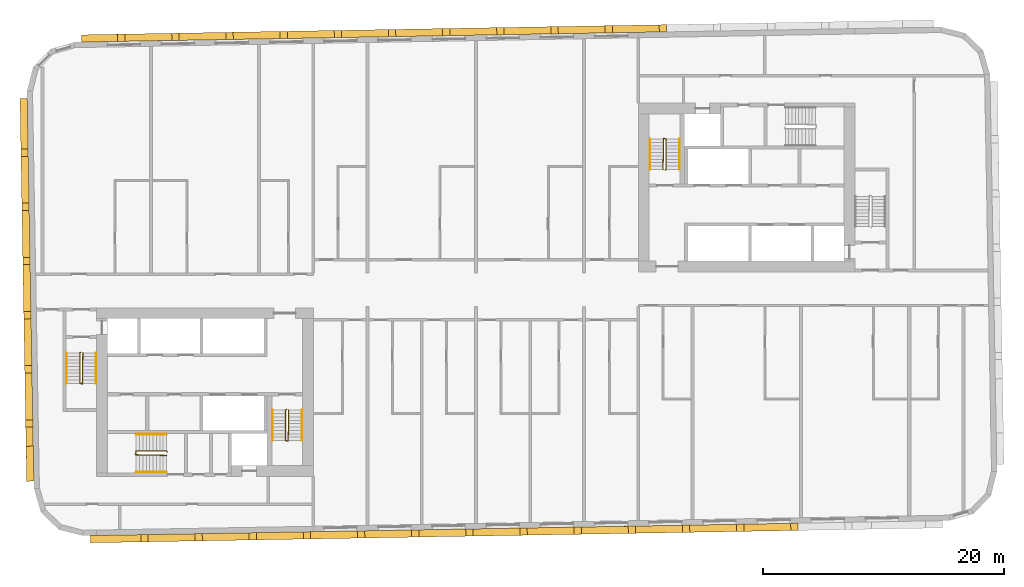
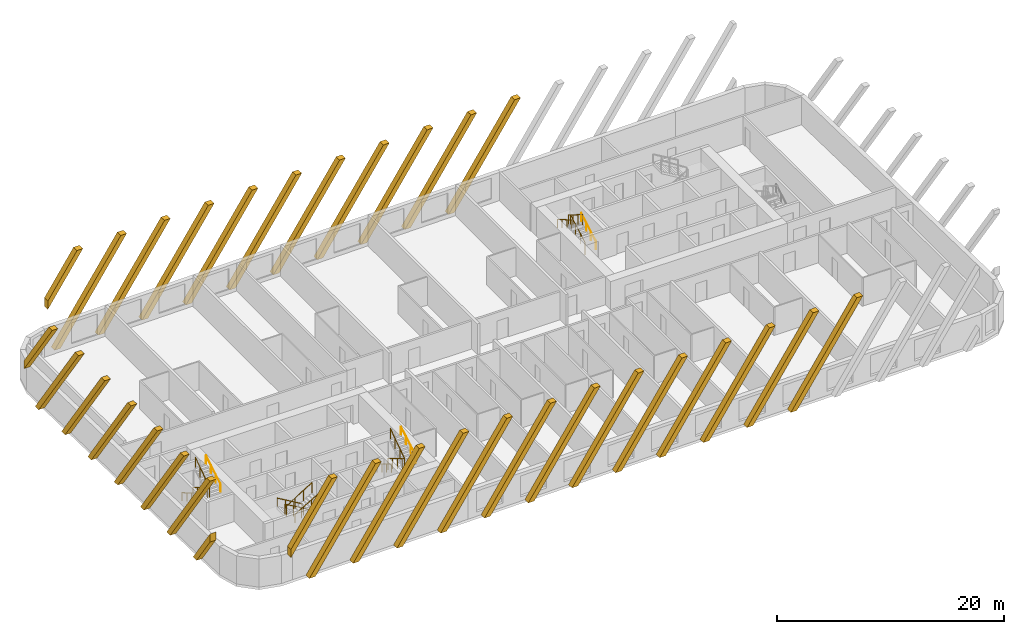
# One storey, part 11 of 12: 32 coverings, 12 railings.
"""IFC4 building model written with IfcOpenShell, lengths in metres."""

from ifc_helpers import new_model, si_unit, direction, frame, origin, origin_2d, place, context, subcontext, project, spatial, polyline, rectangle, circle, outline, extrude, material, material_profile, profile_set, type_object, element, save


model = new_model("IFC4")

# Units and contexts
model_context = context("Model", 3, precision=1e-05, world=origin(), true_north=direction((0.0, 1.0)))
body_context = subcontext(model_context, "Body", "Model", "MODEL_VIEW")
ifc_project = project(units=[si_unit("LENGTHUNIT", "METRE"), si_unit("AREAUNIT", "SQUARE_METRE"), si_unit("VOLUMEUNIT", "CUBIC_METRE"), si_unit("PLANEANGLEUNIT", "RADIAN"), si_unit("MASSUNIT", "GRAM", prefix="KILO")], contexts=[model_context])

# Site, building, storey
site_placement = place(None, origin())
site = spatial("IfcSite", under=ifc_project, at=site_placement, CompositionType="ELEMENT")
building_placement = place(site_placement, origin())
building = spatial("IfcBuilding", under=site, at=building_placement, Name="Kajstack Hotel Tower", CompositionType="ELEMENT")
storey_placement = place(building_placement, frame((0.0, 0.0, 247.39990234375)))
storey = spatial("IfcBuildingStorey", under=building, at=storey_placement, Name="L61", CompositionType="ELEMENT", Elevation=247.39990234375)

# Coverings
ifc_material_1 = material(Name="Terracotta", Category="masonry")
ifc_material_profile = material_profile(ifc_material_1, rectangle(XDim=0.60009765625, YDim=0.5, at=origin_2d()), Name="Terracotta-clad concrete baguette 500 x 600")
ifc_profile_set = profile_set([ifc_material_profile], Name="Terracotta")
covering_type = type_object("IfcCoveringType", Name="BAGUETTE 500x600", PredefinedType="CLADDING", material=ifc_profile_set)
covering_1_placement = place(storey_placement, frame((-37.271484375, 15.8994140625, 0.0), z_axis=(-0.999846892363, -0.017498337962, 0.0), x_axis=(0.017498337962, -0.999846892363, 0.0)))
element("IfcCovering", 1, at=covering_1_placement, inside=storey, type_object=covering_type, Name="Baguette L61-00-003", PredefinedType="CLADDING", context=body_context, shape_type="SweptSolid", body=[
    extrude(outline(polyline([(4.196533203125, 9.89990234375), (0.0, 3.7939453125), (0.0, 2.9111328125), (4.803466796875, 9.89990234375), (4.196533203125, 9.89990234375)])), origin(), (0.0, 0.0, 1.0), 0.599853515625),
])
covering_2_placement = place(storey_placement, frame((-37.23828125, 14.00732421875, 0.0), z_axis=(-0.999847016888, -0.017491221207, 0.0), x_axis=(0.017491221207, -0.999847016888, 0.0)))
element("IfcCovering", 2, at=covering_2_placement, inside=storey, type_object=covering_type, Name="Baguette L61-00-007", PredefinedType="CLADDING", context=body_context, shape_type="SweptSolid", body=[
    extrude(outline(polyline([(6.80419921875, 9.89990234375), (0.0, 0.0), (0.606689453125, 0.0), (7.410888671875, 9.89990234375), (6.80419921875, 9.89990234375)])), origin(), (0.0, 0.0, 1.0), 0.60009765625),
])
for number, where, z_axis, x_axis, name in (
    (3, (-37.159912109375, 9.5078125, 0.0), (-0.999846892363, -0.017498337962, 0.0), (0.017498337962, -0.999846892363, 0.0), "Baguette L61-00-011"),
    (4, (-37.081298828125, 5.008544921875, 0.0), (-0.999846892363, -0.017498337962, 0.0), (0.017498337962, -0.999846892363, 0.0), "Baguette L61-00-015"),
):
    element("IfcCovering", number, at=place(storey_placement, frame(where, z_axis=z_axis, x_axis=x_axis)), inside=storey, type_object=covering_type, Name=name, PredefinedType="CLADDING", context=body_context, shape_type="SweptSolid", body=[
        extrude(outline(polyline([(6.80419921875, 9.89990234375), (0.0, 0.0), (0.606689453125, 0.0), (7.410888671875, 9.89990234375), (6.80419921875, 9.89990234375)])), origin(), (0.0, 0.0, 1.0), 0.599853515625),
    ])
covering_3_placement = place(storey_placement, frame((-37.002685546875, 0.50927734375, 0.0), z_axis=(-0.999847016888, -0.017491221207, 0.0), x_axis=(0.017491221207, -0.999847016888, 0.0)))
element("IfcCovering", 5, at=covering_3_placement, inside=storey, type_object=covering_type, Name="Baguette L61-00-019", PredefinedType="CLADDING", context=body_context, shape_type="SweptSolid", body=[
    extrude(outline(polyline([(6.80419921875, 9.89990234375), (0.0, 0.0), (0.606689453125, 0.0), (7.410888671875, 9.89990234375), (6.80419921875, 9.89990234375)])), origin(), (0.0, 0.0, 1.0), 0.60009765625),
])
covering_4_placement = place(storey_placement, frame((-36.92431640625, -3.989990234375, 0.0), z_axis=(-0.999846892363, -0.017498337962, 0.0), x_axis=(0.017498337962, -0.999846892363, 0.0)))
element("IfcCovering", 6, at=covering_4_placement, inside=storey, type_object=covering_type, Name="Baguette L61-00-023", PredefinedType="CLADDING", context=body_context, shape_type="SweptSolid", body=[
    extrude(outline(polyline([(6.80419921875, 9.89990234375), (0.0, 0.0), (0.606689453125, 0.0), (7.410888671875, 9.89990234375), (6.80419921875, 9.89990234375)])), origin(), (0.0, 0.0, 1.0), 0.599853515625),
])
covering_5_placement = place(storey_placement, frame((-36.845703125, -8.489501953125, 0.0), z_axis=(-0.999853929301, -0.017091520159, 0.0), x_axis=(0.017091520159, -0.999853929301, 0.0)))
element("IfcCovering", 7, at=covering_5_placement, inside=storey, type_object=covering_type, Name="Baguette L61-00-027", PredefinedType="CLADDING", context=body_context, shape_type="SweptSolid", body=[
    extrude(outline(polyline([(0.606689453125, 0.0), (7.407470703125, 9.89501953125), (7.407470703125, 9.89990234375), (6.80419921875, 9.89990234375), (0.0, 0.0), (0.606689453125, 0.0)])), origin(), (0.0, 0.0, 1.0), 0.599853515625),
])
covering_6_placement = place(storey_placement, frame((-36.76708984375, -12.98876953125, 0.0), z_axis=(-0.999846892363, -0.017498337962, 0.0), x_axis=(0.017498337962, -0.999846892363, 0.0)))
element("IfcCovering", 8, at=covering_6_placement, inside=storey, type_object=covering_type, Name="Baguette L61-00-031", PredefinedType="CLADDING", context=body_context, shape_type="SweptSolid", body=[
    extrude(outline(polyline([(0.606689453125, 0.0), (2.907470703125, 3.34765625), (2.907470703125, 4.230224609375), (0.0, 0.0), (0.606689453125, 0.0)])), origin(), (0.0, 0.0, 1.0), 0.599853515625),
])
covering_7_placement = place(storey_placement, frame((-32.036865234375, -20.414794921875, 0.0), z_axis=(0.017498337962, -0.999846892363, 0.0), x_axis=(0.999846892363, 0.017498337962, 0.0)))
element("IfcCovering", 9, at=covering_7_placement, inside=storey, type_object=covering_type, Name="Baguette L61-04-003", PredefinedType="CLADDING", context=body_context, shape_type="SweptSolid", body=[
    extrude(outline(polyline([(4.196533203125, 9.89990234375), (0.0, 3.7939453125), (0.0, 2.9111328125), (4.803466796875, 9.89990234375), (4.196533203125, 9.89990234375)])), origin(), (0.0, 0.0, 1.0), 0.599853515625),
])
covering_8_placement = place(storey_placement, frame((-30.14453125, -20.381591796875, 0.0), z_axis=(0.017491221207, -0.999847016888, 0.0), x_axis=(0.999847016888, 0.017491221207, 0.0)))
element("IfcCovering", 10, at=covering_8_placement, inside=storey, type_object=covering_type, Name="Baguette L61-04-007", PredefinedType="CLADDING", context=body_context, shape_type="SweptSolid", body=[
    extrude(outline(polyline([(6.80419921875, 9.89990234375), (0.0, 0.0), (0.606689453125, 0.0), (7.410888671875, 9.89990234375), (6.80419921875, 9.89990234375)])), origin(), (0.0, 0.0, 1.0), 0.60009765625),
])
for number, where, z_axis, x_axis, name in (
    (11, (-25.645263671875, -20.30322265625, 0.0), (0.017498337962, -0.999846892363, 0.0), (0.999846892363, 0.017498337962, 0.0), "Baguette L61-04-011"),
    (12, (-21.14599609375, -20.224609375, 0.0), (0.017498337962, -0.999846892363, 0.0), (0.999846892363, 0.017498337962, 0.0), "Baguette L61-04-015"),
):
    element("IfcCovering", number, at=place(storey_placement, frame(where, z_axis=z_axis, x_axis=x_axis)), inside=storey, type_object=covering_type, Name=name, PredefinedType="CLADDING", context=body_context, shape_type="SweptSolid", body=[
        extrude(outline(polyline([(6.80419921875, 9.89990234375), (0.0, 0.0), (0.606689453125, 0.0), (7.410888671875, 9.89990234375), (6.80419921875, 9.89990234375)])), origin(), (0.0, 0.0, 1.0), 0.599853515625),
    ])
covering_9_placement = place(storey_placement, frame((-16.646484375, -20.14599609375, 0.0), z_axis=(0.017491221207, -0.999847016888, 0.0), x_axis=(0.999847016888, 0.017491221207, 0.0)))
element("IfcCovering", 13, at=covering_9_placement, inside=storey, type_object=covering_type, Name="Baguette L61-04-019", PredefinedType="CLADDING", context=body_context, shape_type="SweptSolid", body=[
    extrude(outline(polyline([(6.80419921875, 9.89990234375), (0.0, 0.0), (0.606689453125, 0.0), (7.410888671875, 9.89990234375), (6.80419921875, 9.89990234375)])), origin(), (0.0, 0.0, 1.0), 0.60009765625),
])
for number, where, z_axis, x_axis, name in (
    (14, (-12.147216796875, -20.067626953125, 0.0), (0.017498337962, -0.999846892363, 0.0), (0.999846892363, 0.017498337962, 0.0), "Baguette L61-04-023"),
    (15, (-7.64794921875, -19.989013671875, 0.0), (0.017498337962, -0.999846892363, 0.0), (0.999846892363, 0.017498337962, 0.0), "Baguette L61-04-027"),
):
    element("IfcCovering", number, at=place(storey_placement, frame(where, z_axis=z_axis, x_axis=x_axis)), inside=storey, type_object=covering_type, Name=name, PredefinedType="CLADDING", context=body_context, shape_type="SweptSolid", body=[
        extrude(outline(polyline([(6.80419921875, 9.89990234375), (0.0, 0.0), (0.606689453125, 0.0), (7.410888671875, 9.89990234375), (6.80419921875, 9.89990234375)])), origin(), (0.0, 0.0, 1.0), 0.599853515625),
    ])
covering_10_placement = place(storey_placement, frame((-3.148681640625, -19.910400390625, 0.0), z_axis=(0.017491221207, -0.999847016888, 0.0), x_axis=(0.999847016888, 0.017491221207, 0.0)))
element("IfcCovering", 16, at=covering_10_placement, inside=storey, type_object=covering_type, Name="Baguette L61-04-031", PredefinedType="CLADDING", context=body_context, shape_type="SweptSolid", body=[
    extrude(outline(polyline([(6.80419921875, 9.89990234375), (0.0, 0.0), (0.606689453125, 0.0), (7.410888671875, 9.89990234375), (6.80419921875, 9.89990234375)])), origin(), (0.0, 0.0, 1.0), 0.60009765625),
])
for number, where, z_axis, x_axis, name in (
    (17, (1.3505859375, -19.83203125, 0.0), (0.017498337962, -0.999846892363, 0.0), (0.999846892363, 0.017498337962, 0.0), "Baguette L61-04-035"),
    (18, (5.85009765625, -19.75341796875, 0.0), (0.017091520159, -0.999853929301, 0.0), (0.999853929301, 0.017091520159, 0.0), "Baguette L61-04-039"),
    (19, (10.349365234375, -19.6748046875, 0.0), (0.017498337962, -0.999846892363, 0.0), (0.999846892363, 0.017498337962, 0.0), "Baguette L61-04-043"),
    (20, (14.8486328125, -19.596435546875, 0.0), (0.017498337962, -0.999846892363, 0.0), (0.999846892363, 0.017498337962, 0.0), "Baguette L61-04-047"),
    (21, (19.347900390625, -19.517822265625, 0.0), (0.017498337962, -0.999846892363, 0.0), (0.999846892363, 0.017498337962, 0.0), "Baguette L61-04-051"),
):
    element("IfcCovering", number, at=place(storey_placement, frame(where, z_axis=z_axis, x_axis=x_axis)), inside=storey, type_object=covering_type, Name=name, PredefinedType="CLADDING", context=body_context, shape_type="SweptSolid", body=[
        extrude(outline(polyline([(6.80419921875, 9.89990234375), (0.0, 0.0), (0.606689453125, 0.0), (7.410888671875, 9.89990234375), (6.80419921875, 9.89990234375)])), origin(), (0.0, 0.0, 1.0), 0.599853515625),
    ])
covering_11_placement = place(storey_placement, frame((15.843505859375, 21.42724609375, 0.0), z_axis=(-0.017491221207, 0.999847016888, 0.0), x_axis=(-0.999847016888, -0.017491221207, 0.0)))
element("IfcCovering", 22, at=covering_11_placement, inside=storey, type_object=covering_type, Name="Baguette L61-12-027", PredefinedType="CLADDING", context=body_context, shape_type="SweptSolid", body=[
    extrude(outline(polyline([(0.0, 9.89990234375), (6.80419921875, 0.0), (7.410888671875, 0.0), (0.606689453125, 9.89990234375), (0.0, 9.89990234375)])), origin(), (0.0, 0.0, 1.0), 0.60009765625),
])
for number, where, z_axis, x_axis, name in (
    (23, (11.34423828125, 21.348876953125, 0.0), (-0.017498337962, 0.999846892363, 0.0), (-0.999846892363, -0.017498337962, 0.0), "Baguette L61-12-031"),
    (24, (6.844970703125, 21.270263671875, 0.0), (-0.017498337962, 0.999846892363, 0.0), (-0.999846892363, -0.017498337962, 0.0), "Baguette L61-12-035"),
):
    element("IfcCovering", number, at=place(storey_placement, frame(where, z_axis=z_axis, x_axis=x_axis)), inside=storey, type_object=covering_type, Name=name, PredefinedType="CLADDING", context=body_context, shape_type="SweptSolid", body=[
        extrude(outline(polyline([(0.0, 9.89990234375), (6.80419921875, 0.0), (7.410888671875, 0.0), (0.606689453125, 9.89990234375), (0.0, 9.89990234375)])), origin(), (0.0, 0.0, 1.0), 0.599853515625),
    ])
covering_12_placement = place(storey_placement, frame((2.345703125, 21.191650390625, 0.0), z_axis=(-0.017491221207, 0.999847016888, 0.0), x_axis=(-0.999847016888, -0.017491221207, 0.0)))
element("IfcCovering", 25, at=covering_12_placement, inside=storey, type_object=covering_type, Name="Baguette L61-12-039", PredefinedType="CLADDING", context=body_context, shape_type="SweptSolid", body=[
    extrude(outline(polyline([(0.0, 9.89990234375), (6.80419921875, 0.0), (7.410888671875, 0.0), (0.606689453125, 9.89990234375), (0.0, 9.89990234375)])), origin(), (0.0, 0.0, 1.0), 0.60009765625),
])
for number, where, z_axis, x_axis, name in (
    (26, (-2.15380859375, 21.11328125, 0.0), (-0.017498337962, 0.999846892363, 0.0), (-0.999846892363, -0.017498337962, 0.0), "Baguette L61-12-043"),
    (27, (-6.653076171875, 21.03466796875, 0.0), (-0.017498337962, 0.999846892363, 0.0), (-0.999846892363, -0.017498337962, 0.0), "Baguette L61-12-047"),
    (28, (-11.15234375, 20.9560546875, 0.0), (-0.017498337962, 0.999846892363, 0.0), (-0.999846892363, -0.017498337962, 0.0), "Baguette L61-12-051"),
    (29, (-15.651611328125, 20.877685546875, 0.0), (-0.017498337962, 0.999846892363, 0.0), (-0.999846892363, -0.017498337962, 0.0), "Baguette L61-12-055"),
    (30, (-20.15087890625, 20.799072265625, 0.0), (-0.017498337962, 0.999846892363, 0.0), (-0.999846892363, -0.017498337962, 0.0), "Baguette L61-12-059"),
    (31, (-24.650390625, 20.720458984375, 0.0), (-0.017091520159, 0.999853929301, 0.0), (-0.999853929301, -0.017091520159, 0.0), "Baguette L61-12-063"),
):
    element("IfcCovering", number, at=place(storey_placement, frame(where, z_axis=z_axis, x_axis=x_axis)), inside=storey, type_object=covering_type, Name=name, PredefinedType="CLADDING", context=body_context, shape_type="SweptSolid", body=[
        extrude(outline(polyline([(0.0, 9.89990234375), (6.80419921875, 0.0), (7.410888671875, 0.0), (0.606689453125, 9.89990234375), (0.0, 9.89990234375)])), origin(), (0.0, 0.0, 1.0), 0.599853515625),
    ])
covering_13_placement = place(storey_placement, frame((-29.149658203125, 20.641845703125, 0.0), z_axis=(-0.017491221207, 0.999847016888, 0.0), x_axis=(-0.999847016888, -0.017491221207, 0.0)))
element("IfcCovering", 32, at=covering_13_placement, inside=storey, type_object=covering_type, Name="Baguette L61-12-067", PredefinedType="CLADDING", context=body_context, shape_type="SweptSolid", body=[
    extrude(outline(polyline([(0.0, 9.89990234375), (3.603271484375, 4.656982421875), (3.603271484375, 5.539794921875), (0.606689453125, 9.89990234375), (0.0, 9.89990234375)])), origin(), (0.0, 0.0, 1.0), 0.60009765625),
])

# Railings
ifc_material_2 = material(Name="Steel S355J2", Category="steel")
railing_type_1 = type_object("IfcRailingType", Name="Stair guard 1100", PredefinedType="GUARDRAIL", material=ifc_material_2)
railing_1_placement = place(storey_placement, frame((-32.85009765625, -5.199951171875, 0.0)))
element("IfcRailing", 33, at=railing_1_placement, inside=storey, type_object=railing_type_1, Name="L61 W1 stair guard 1", PredefinedType="GUARDRAIL", context=body_context, shape_type="SweptSolid", body=[
    extrude(circle(Radius=0.02392578125, at=origin_2d()), frame((0.0, 0.0, 1.076171875), z_axis=(-0.277450376394, -0.278810427259, 0.919394384522), x_axis=(0.708833529934, -0.705375805398, 0.0)), (0.0, 0.0, 1.0), 0.179443359375),
    extrude(circle(Radius=0.02392578125, at=origin_2d()), frame((-0.0498046875, -0.050048828125, 1.2412109375), z_axis=(0.0, -0.86152411907, 0.507716645641), x_axis=(1.0, 0.0, 0.0)), (0.0, 0.0, 1.0), 2.925048828125),
    extrude(circle(Radius=0.02392578125, at=origin_2d()), frame((-0.0498046875, -2.570068359375, 2.72607421875), z_axis=(0.970072785993, -0.242814311512, 0.0), x_axis=(0.242814311512, 0.970072785993, 0.0)), (0.0, 0.0, 1.0), 0.2060546875),
    extrude(circle(Radius=0.02392578125, at=origin_2d()), frame((0.150146484375, -2.6201171875, 2.72607421875), z_axis=(0.016385308676, 0.841405582595, 0.540155687962), x_axis=(-0.999810440751, 0.019470042781, 0.0)), (0.0, 0.0, 1.0), 3.054443359375),
    extrude(circle(Radius=0.02099609375, at=origin_2d()), origin(), (0.0, 0.0, 1.0), 1.052001953125),
    extrude(circle(Radius=0.02099609375, at=origin_2d()), frame((-0.0498046875, -0.050048828125, 0.1650390625)), (0.0, 0.0, 1.0), 1.052001953125),
    extrude(circle(Radius=0.02099609375, at=origin_2d()), frame((-0.0498046875, -0.89013671875, 0.66015625)), (0.0, 0.0, 1.0), 1.052001953125),
    extrude(circle(Radius=0.02099609375, at=origin_2d()), frame((-0.0498046875, -1.72998046875, 1.155029296875)), (0.0, 0.0, 1.0), 1.052001953125),
    extrude(circle(Radius=0.02099609375, at=origin_2d()), frame((-0.0498046875, -2.570068359375, 1.650146484375)), (0.0, 0.0, 1.0), 1.052001953125),
    extrude(circle(Radius=0.02099609375, at=origin_2d()), frame((0.150146484375, -2.6201171875, 1.650146484375)), (0.0, 0.0, 1.0), 1.052001953125),
    extrude(circle(Radius=0.02099609375, at=origin_2d()), frame((0.166748046875, -1.763427734375, 2.2001953125)), (0.0, 0.0, 1.0), 1.052001953125),
    extrude(circle(Radius=0.02099609375, at=origin_2d()), frame((0.18359375, -0.90673828125, 2.75)), (0.0, 0.0, 1.0), 1.052001953125),
    extrude(circle(Radius=0.02099609375, at=origin_2d()), frame((0.2001953125, -0.050048828125, 3.300048828125)), (0.0, 0.0, 1.0), 1.052001953125),
])
railing_2_placement = place(storey_placement, frame((-15.75, -9.949951171875, 0.0)))
element("IfcRailing", 34, at=railing_2_placement, inside=storey, type_object=railing_type_1, Name="L61 W2 stair guard 1", PredefinedType="GUARDRAIL", context=body_context, shape_type="SweptSolid", body=[
    extrude(circle(Radius=0.02392578125, at=origin_2d()), frame((0.0, 0.0, 1.076171875), z_axis=(-0.278705021027, -0.278705021027, 0.919046801044), x_axis=(0.707106781187, -0.707106781187, 0.0)), (0.0, 0.0, 1.0), 0.1796875),
    extrude(circle(Radius=0.02392578125, at=origin_2d()), frame((-0.050048828125, -0.050048828125, 1.2412109375), z_axis=(0.0, -0.86152411907, 0.507716645641), x_axis=(1.0, 0.0, 0.0)), (0.0, 0.0, 1.0), 2.925048828125),
    extrude(circle(Radius=0.02392578125, at=origin_2d()), frame((-0.050048828125, -2.570068359375, 2.72607421875), z_axis=(0.970072785993, -0.242814311512, 0.0), x_axis=(0.242814311512, 0.970072785993, 0.0)), (0.0, 0.0, 1.0), 0.2060546875),
    extrude(circle(Radius=0.02392578125, at=origin_2d()), frame((0.14990234375, -2.6201171875, 2.72607421875), z_axis=(0.016385308676, 0.841405582595, 0.540155687962), x_axis=(-0.999810440751, 0.019470042781, 0.0)), (0.0, 0.0, 1.0), 3.054443359375),
    extrude(circle(Radius=0.02099609375, at=origin_2d()), origin(), (0.0, 0.0, 1.0), 1.052001953125),
    extrude(circle(Radius=0.02099609375, at=origin_2d()), frame((-0.050048828125, -0.050048828125, 0.1650390625)), (0.0, 0.0, 1.0), 1.052001953125),
    extrude(circle(Radius=0.02099609375, at=origin_2d()), frame((-0.050048828125, -0.89013671875, 0.66015625)), (0.0, 0.0, 1.0), 1.052001953125),
    extrude(circle(Radius=0.02099609375, at=origin_2d()), frame((-0.050048828125, -1.72998046875, 1.155029296875)), (0.0, 0.0, 1.0), 1.052001953125),
    extrude(circle(Radius=0.02099609375, at=origin_2d()), frame((-0.050048828125, -2.570068359375, 1.650146484375)), (0.0, 0.0, 1.0), 1.052001953125),
    extrude(circle(Radius=0.02099609375, at=origin_2d()), frame((0.14990234375, -2.6201171875, 1.650146484375)), (0.0, 0.0, 1.0), 1.052001953125),
    extrude(circle(Radius=0.02099609375, at=origin_2d()), frame((0.16650390625, -1.763427734375, 2.2001953125)), (0.0, 0.0, 1.0), 1.052001953125),
    extrude(circle(Radius=0.02099609375, at=origin_2d()), frame((0.183349609375, -0.90673828125, 2.75)), (0.0, 0.0, 1.0), 1.052001953125),
    extrude(circle(Radius=0.02099609375, at=origin_2d()), frame((0.199951171875, -0.050048828125, 3.300048828125)), (0.0, 0.0, 1.0), 1.052001953125),
])
railing_3_placement = place(storey_placement, frame((-25.64990234375, -13.449951171875, 0.0)))
element("IfcRailing", 35, at=railing_3_placement, inside=storey, type_object=railing_type_1, Name="L61 W3 stair guard 1", PredefinedType="GUARDRAIL", context=body_context, shape_type="SweptSolid", body=[
    extrude(circle(Radius=0.02392578125, at=origin_2d()), frame((0.0, 0.0, 1.076171875), z_axis=(-0.278705021027, 0.278705021027, 0.919046801044), x_axis=(-0.707106781187, -0.707106781187, 0.0)), (0.0, 0.0, 1.0), 0.1796875),
    extrude(circle(Radius=0.02392578125, at=origin_2d()), frame((-0.050048828125, 0.050048828125, 1.2412109375), z_axis=(-0.86152411907, 0.0, 0.507716645641), x_axis=(0.0, -1.0, 0.0)), (0.0, 0.0, 1.0), 2.925048828125),
    extrude(circle(Radius=0.02392578125, at=origin_2d()), frame((-2.570068359375, 0.050048828125, 2.72607421875), z_axis=(-0.164529134168, -0.986372223864, 0.0), x_axis=(0.986372223864, -0.164529134168, 0.0)), (0.0, 0.0, 1.0), 0.30419921875),
    extrude(circle(Radius=0.02392578125, at=origin_2d()), frame((-2.6201171875, -0.25, 2.72607421875), z_axis=(0.841405582595, -0.016385308676, 0.540155687962), x_axis=(0.019470042781, 0.999810440751, 0.0)), (0.0, 0.0, 1.0), 3.054443359375),
    extrude(circle(Radius=0.02099609375, at=origin_2d()), origin(), (0.0, 0.0, 1.0), 1.052001953125),
    extrude(circle(Radius=0.02099609375, at=origin_2d()), frame((-0.050048828125, 0.050048828125, 0.1650390625)), (0.0, 0.0, 1.0), 1.052001953125),
    extrude(circle(Radius=0.02099609375, at=origin_2d()), frame((-0.89013671875, 0.050048828125, 0.66015625)), (0.0, 0.0, 1.0), 1.052001953125),
    extrude(circle(Radius=0.02099609375, at=origin_2d()), frame((-1.72998046875, 0.050048828125, 1.155029296875)), (0.0, 0.0, 1.0), 1.052001953125),
    extrude(circle(Radius=0.02099609375, at=origin_2d()), frame((-2.570068359375, 0.050048828125, 1.650146484375)), (0.0, 0.0, 1.0), 1.052001953125),
    extrude(circle(Radius=0.02099609375, at=origin_2d()), frame((-2.6201171875, -0.25, 1.650146484375)), (0.0, 0.0, 1.0), 1.052001953125),
    extrude(circle(Radius=0.02099609375, at=origin_2d()), frame((-1.763427734375, -0.2666015625, 2.2001953125)), (0.0, 0.0, 1.0), 1.052001953125),
    extrude(circle(Radius=0.02099609375, at=origin_2d()), frame((-0.90673828125, -0.283447265625, 2.75)), (0.0, 0.0, 1.0), 1.052001953125),
    extrude(circle(Radius=0.02099609375, at=origin_2d()), frame((-0.050048828125, -0.300048828125, 3.300048828125)), (0.0, 0.0, 1.0), 1.052001953125),
])
railing_4_placement = place(storey_placement, frame((15.75, 9.949951171875, 0.0)))
element("IfcRailing", 36, at=railing_4_placement, inside=storey, type_object=railing_type_1, Name="L61 E2 stair guard 1", PredefinedType="GUARDRAIL", context=body_context, shape_type="SweptSolid", body=[
    extrude(circle(Radius=0.02392578125, at=origin_2d()), frame((0.0, 0.0, 1.076171875), z_axis=(0.278705021027, 0.278705021027, 0.919046801044), x_axis=(-0.707106781187, 0.707106781187, 0.0)), (0.0, 0.0, 1.0), 0.1796875),
    extrude(circle(Radius=0.02392578125, at=origin_2d()), frame((0.050048828125, 0.050048828125, 1.2412109375), z_axis=(0.0, 0.86152411907, 0.507716645641), x_axis=(-1.0, 0.0, 0.0)), (0.0, 0.0, 1.0), 2.925048828125),
    extrude(circle(Radius=0.02392578125, at=origin_2d()), frame((0.050048828125, 2.570068359375, 2.72607421875), z_axis=(-0.970072785993, 0.242814311512, 0.0), x_axis=(-0.242814311512, -0.970072785993, 0.0)), (0.0, 0.0, 1.0), 0.2060546875),
    extrude(circle(Radius=0.02392578125, at=origin_2d()), frame((-0.14990234375, 2.6201171875, 2.72607421875), z_axis=(-0.016385308676, -0.841405582595, 0.540155687962), x_axis=(0.999810440751, -0.019470042781, 0.0)), (0.0, 0.0, 1.0), 3.054443359375),
    extrude(circle(Radius=0.02099609375, at=origin_2d()), origin(), (0.0, 0.0, 1.0), 1.052001953125),
    extrude(circle(Radius=0.02099609375, at=origin_2d()), frame((0.050048828125, 0.050048828125, 0.1650390625)), (0.0, 0.0, 1.0), 1.052001953125),
    extrude(circle(Radius=0.02099609375, at=origin_2d()), frame((0.050048828125, 0.89013671875, 0.66015625)), (0.0, 0.0, 1.0), 1.052001953125),
    extrude(circle(Radius=0.02099609375, at=origin_2d()), frame((0.050048828125, 1.72998046875, 1.155029296875)), (0.0, 0.0, 1.0), 1.052001953125),
    extrude(circle(Radius=0.02099609375, at=origin_2d()), frame((0.050048828125, 2.570068359375, 1.650146484375)), (0.0, 0.0, 1.0), 1.052001953125),
    extrude(circle(Radius=0.02099609375, at=origin_2d()), frame((-0.14990234375, 2.6201171875, 1.650146484375)), (0.0, 0.0, 1.0), 1.052001953125),
    extrude(circle(Radius=0.02099609375, at=origin_2d()), frame((-0.16650390625, 1.763427734375, 2.2001953125)), (0.0, 0.0, 1.0), 1.052001953125),
    extrude(circle(Radius=0.02099609375, at=origin_2d()), frame((-0.183349609375, 0.90673828125, 2.75)), (0.0, 0.0, 1.0), 1.052001953125),
    extrude(circle(Radius=0.02099609375, at=origin_2d()), frame((-0.199951171875, 0.050048828125, 3.300048828125)), (0.0, 0.0, 1.0), 1.052001953125),
])
railing_type_2 = type_object("IfcRailingType", Name="Stair handrail 900", PredefinedType="HANDRAIL", material=ifc_material_2)
railing_5_placement = place(storey_placement, frame((-34.0, -5.25, 0.1650390625)))
element("IfcRailing", 37, at=railing_5_placement, inside=storey, type_object=railing_type_2, Name="L61 W1 stair handrail 1", PredefinedType="HANDRAIL", context=body_context, shape_type="SweptSolid", body=[
    extrude(circle(Radius=0.02392578125, at=origin_2d()), frame((0.0, 0.0, 0.8759765625), z_axis=(0.0, -0.86152411907, 0.507716645641), x_axis=(1.0, 0.0, 0.0)), (0.0, 0.0, 1.0), 2.925048828125),
    extrude(circle(Radius=0.02099609375, at=origin_2d()), origin(), (0.0, 0.0, 1.0), 0.851806640625),
    extrude(circle(Radius=0.02099609375, at=origin_2d()), frame((0.0, -0.840087890625, 0.4951171875)), (0.0, 0.0, 1.0), 0.851806640625),
    extrude(circle(Radius=0.02099609375, at=origin_2d()), frame((0.0, -1.679931640625, 0.989990234375)), (0.0, 0.0, 1.0), 0.851806640625),
    extrude(circle(Radius=0.02099609375, at=origin_2d()), frame((0.0, -2.52001953125, 1.485107421875)), (0.0, 0.0, 1.0), 0.851806640625),
])
railing_6_placement = place(storey_placement, frame((-31.550048828125, -7.77001953125, 1.815185546875)))
element("IfcRailing", 38, at=railing_6_placement, inside=storey, type_object=railing_type_2, Name="L61 W1 stair handrail 2", PredefinedType="HANDRAIL", context=body_context, shape_type="SweptSolid", body=[
    extrude(circle(Radius=0.02392578125, at=origin_2d()), frame((0.0, 0.0, 0.8759765625), z_axis=(0.0, 0.861560626758, 0.507654692109), x_axis=(-1.0, 0.0, 0.0)), (0.0, 0.0, 1.0), 2.925048828125),
    extrude(circle(Radius=0.02099609375, at=origin_2d()), origin(), (0.0, 0.0, 1.0), 0.851806640625),
    extrude(circle(Radius=0.02099609375, at=origin_2d()), frame((0.0, 0.840087890625, 0.494873046875)), (0.0, 0.0, 1.0), 0.851806640625),
    extrude(circle(Radius=0.02099609375, at=origin_2d()), frame((0.0, 1.679931640625, 0.989990234375)), (0.0, 0.0, 1.0), 0.851806640625),
    extrude(circle(Radius=0.02099609375, at=origin_2d()), frame((0.0, 2.52001953125, 1.48486328125)), (0.0, 0.0, 1.0), 0.851806640625),
])
railing_7_placement = place(storey_placement, frame((-16.89990234375, -10.0, 0.1650390625)))
element("IfcRailing", 39, at=railing_7_placement, inside=storey, type_object=railing_type_2, Name="L61 W2 stair handrail 1", PredefinedType="HANDRAIL", context=body_context, shape_type="SweptSolid", body=[
    extrude(circle(Radius=0.02392578125, at=origin_2d()), frame((0.0, 0.0, 0.8759765625), z_axis=(0.0, -0.86152411907, 0.507716645641), x_axis=(1.0, 0.0, 0.0)), (0.0, 0.0, 1.0), 2.925048828125),
    extrude(circle(Radius=0.02099609375, at=origin_2d()), origin(), (0.0, 0.0, 1.0), 0.851806640625),
    extrude(circle(Radius=0.02099609375, at=origin_2d()), frame((0.0, -0.840087890625, 0.4951171875)), (0.0, 0.0, 1.0), 0.851806640625),
    extrude(circle(Radius=0.02099609375, at=origin_2d()), frame((0.0, -1.679931640625, 0.989990234375)), (0.0, 0.0, 1.0), 0.851806640625),
    extrude(circle(Radius=0.02099609375, at=origin_2d()), frame((0.0, -2.52001953125, 1.485107421875)), (0.0, 0.0, 1.0), 0.851806640625),
])
railing_8_placement = place(storey_placement, frame((-14.449951171875, -12.52001953125, 1.815185546875)))
element("IfcRailing", 40, at=railing_8_placement, inside=storey, type_object=railing_type_2, Name="L61 W2 stair handrail 2", PredefinedType="HANDRAIL", context=body_context, shape_type="SweptSolid", body=[
    extrude(circle(Radius=0.02392578125, at=origin_2d()), frame((0.0, 0.0, 0.8759765625), z_axis=(0.0, 0.861560626758, 0.507654692109), x_axis=(-1.0, 0.0, 0.0)), (0.0, 0.0, 1.0), 2.925048828125),
    extrude(circle(Radius=0.02099609375, at=origin_2d()), origin(), (0.0, 0.0, 1.0), 0.851806640625),
    extrude(circle(Radius=0.02099609375, at=origin_2d()), frame((0.0, 0.840087890625, 0.494873046875)), (0.0, 0.0, 1.0), 0.851806640625),
    extrude(circle(Radius=0.02099609375, at=origin_2d()), frame((0.0, 1.679931640625, 0.989990234375)), (0.0, 0.0, 1.0), 0.851806640625),
    extrude(circle(Radius=0.02099609375, at=origin_2d()), frame((0.0, 2.52001953125, 1.48486328125)), (0.0, 0.0, 1.0), 0.851806640625),
])
railing_9_placement = place(storey_placement, frame((-25.699951171875, -12.0, 0.1650390625)))
element("IfcRailing", 41, at=railing_9_placement, inside=storey, type_object=railing_type_2, Name="L61 W3 stair handrail 1", PredefinedType="HANDRAIL", context=body_context, shape_type="SweptSolid", body=[
    extrude(circle(Radius=0.02392578125, at=origin_2d()), frame((0.0, 0.0, 0.8759765625), z_axis=(-0.86152411907, 0.0, 0.507716645641), x_axis=(0.0, -1.0, 0.0)), (0.0, 0.0, 1.0), 2.925048828125),
    extrude(circle(Radius=0.02099609375, at=origin_2d()), origin(), (0.0, 0.0, 1.0), 0.851806640625),
    extrude(circle(Radius=0.02099609375, at=origin_2d()), frame((-0.840087890625, 0.0, 0.4951171875)), (0.0, 0.0, 1.0), 0.851806640625),
    extrude(circle(Radius=0.02099609375, at=origin_2d()), frame((-1.679931640625, 0.0, 0.989990234375)), (0.0, 0.0, 1.0), 0.851806640625),
    extrude(circle(Radius=0.02099609375, at=origin_2d()), frame((-2.52001953125, 0.0, 1.485107421875)), (0.0, 0.0, 1.0), 0.851806640625),
])
railing_10_placement = place(storey_placement, frame((-28.219970703125, -15.14990234375, 1.815185546875)))
element("IfcRailing", 42, at=railing_10_placement, inside=storey, type_object=railing_type_2, Name="L61 W3 stair handrail 2", PredefinedType="HANDRAIL", context=body_context, shape_type="SweptSolid", body=[
    extrude(circle(Radius=0.02392578125, at=origin_2d()), frame((0.0, 0.0, 0.8759765625), z_axis=(0.861560626758, 0.0, 0.507654692109), x_axis=(0.0, 1.0, 0.0)), (0.0, 0.0, 1.0), 2.925048828125),
    extrude(circle(Radius=0.02099609375, at=origin_2d()), origin(), (0.0, 0.0, 1.0), 0.851806640625),
    extrude(circle(Radius=0.02099609375, at=origin_2d()), frame((0.840087890625, 0.0, 0.494873046875)), (0.0, 0.0, 1.0), 0.851806640625),
    extrude(circle(Radius=0.02099609375, at=origin_2d()), frame((1.679931640625, 0.0, 0.989990234375)), (0.0, 0.0, 1.0), 0.851806640625),
    extrude(circle(Radius=0.02099609375, at=origin_2d()), frame((2.52001953125, 0.0, 1.48486328125)), (0.0, 0.0, 1.0), 0.851806640625),
])
railing_11_placement = place(storey_placement, frame((16.89990234375, 10.0, 0.1650390625)))
element("IfcRailing", 43, at=railing_11_placement, inside=storey, type_object=railing_type_2, Name="L61 E2 stair handrail 1", PredefinedType="HANDRAIL", context=body_context, shape_type="SweptSolid", body=[
    extrude(circle(Radius=0.02392578125, at=origin_2d()), frame((0.0, 0.0, 0.8759765625), z_axis=(0.0, 0.86152411907, 0.507716645641), x_axis=(-1.0, 0.0, 0.0)), (0.0, 0.0, 1.0), 2.925048828125),
    extrude(circle(Radius=0.02099609375, at=origin_2d()), origin(), (0.0, 0.0, 1.0), 0.851806640625),
    extrude(circle(Radius=0.02099609375, at=origin_2d()), frame((0.0, 0.840087890625, 0.4951171875)), (0.0, 0.0, 1.0), 0.851806640625),
    extrude(circle(Radius=0.02099609375, at=origin_2d()), frame((0.0, 1.679931640625, 0.989990234375)), (0.0, 0.0, 1.0), 0.851806640625),
    extrude(circle(Radius=0.02099609375, at=origin_2d()), frame((0.0, 2.52001953125, 1.485107421875)), (0.0, 0.0, 1.0), 0.851806640625),
])
railing_12_placement = place(storey_placement, frame((14.449951171875, 12.52001953125, 1.815185546875)))
element("IfcRailing", 44, at=railing_12_placement, inside=storey, type_object=railing_type_2, Name="L61 E2 stair handrail 2", PredefinedType="HANDRAIL", context=body_context, shape_type="SweptSolid", body=[
    extrude(circle(Radius=0.02392578125, at=origin_2d()), frame((0.0, 0.0, 0.8759765625), z_axis=(0.0, -0.861560626758, 0.507654692109), x_axis=(1.0, 0.0, 0.0)), (0.0, 0.0, 1.0), 2.925048828125),
    extrude(circle(Radius=0.02099609375, at=origin_2d()), origin(), (0.0, 0.0, 1.0), 0.851806640625),
    extrude(circle(Radius=0.02099609375, at=origin_2d()), frame((0.0, -0.840087890625, 0.494873046875)), (0.0, 0.0, 1.0), 0.851806640625),
    extrude(circle(Radius=0.02099609375, at=origin_2d()), frame((0.0, -1.679931640625, 0.989990234375)), (0.0, 0.0, 1.0), 0.851806640625),
    extrude(circle(Radius=0.02099609375, at=origin_2d()), frame((0.0, -2.52001953125, 1.48486328125)), (0.0, 0.0, 1.0), 0.851806640625),
])

save(model, "model.ifc")
